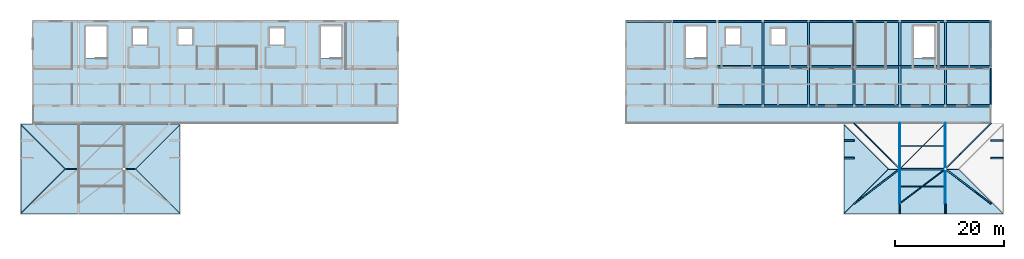
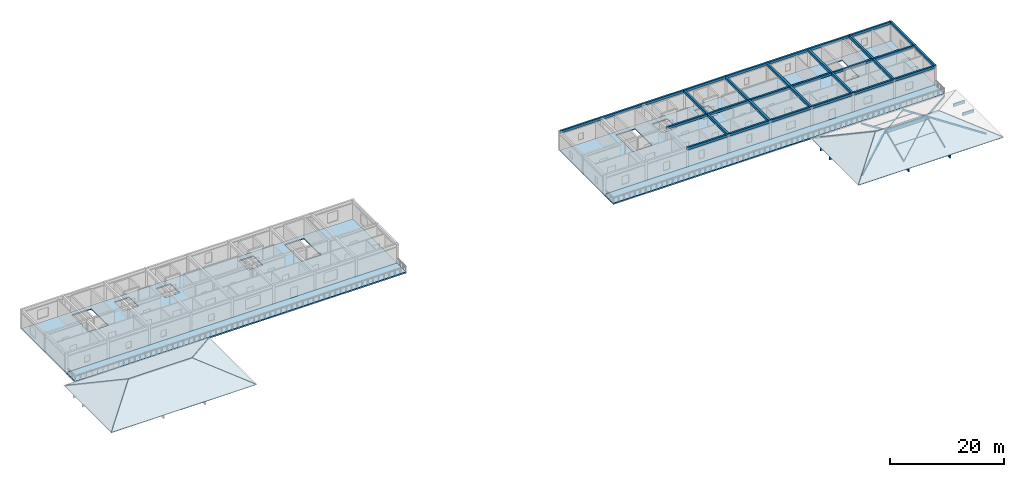
# One storey, part 10 of 22: 39 beams, 12 members, 10 slabs.
"""IFC4 building model written with IfcOpenShell, lengths in metres."""

from ifc_helpers import new_model, si_unit, direction, frame, origin, origin_2d, place, context, subcontext, project, spatial, polyline, rectangle, hollow_rectangle, hollow_circle, outline, extrude, material, layer, layer_set, material_profile, profile_set, type_object, element, save


model = new_model("IFC4")

# Units and contexts
model_context = context("Model", 3, precision=1e-05, world=origin(), true_north=direction((0.0, 1.0)))
body_context = subcontext(model_context, "Body", "Model", "MODEL_VIEW")
ifc_project = project(units=[si_unit("LENGTHUNIT", "METRE"), si_unit("AREAUNIT", "SQUARE_METRE"), si_unit("VOLUMEUNIT", "CUBIC_METRE"), si_unit("PLANEANGLEUNIT", "RADIAN"), si_unit("MASSUNIT", "GRAM", prefix="KILO")], contexts=[model_context])

# Site, building, storey
site_placement = place(None, origin())
site = spatial("IfcSite", under=ifc_project, at=site_placement, CompositionType="ELEMENT")
building_placement = place(site_placement, origin())
building = spatial("IfcBuilding", under=site, at=building_placement, Name="Varncliffe General Hospital", CompositionType="ELEMENT")
storey_placement = place(building_placement, frame((0.0, 0.0, 33.0)))
storey = spatial("IfcBuildingStorey", under=building, at=storey_placement, Name="L07", CompositionType="ELEMENT", Elevation=33.0)

# Beams
ifc_material_1 = material(Name="Concrete C35/45 (CSA A23.1 35 MPa)", Category="concrete")
ifc_material_profile_1 = material_profile(ifc_material_1, rectangle(XDim=0.39990234375, YDim=0.550048828125, at=origin_2d()), Name="RC 400x550")
ifc_profile_set_1 = profile_set([ifc_material_profile_1], Name="Concrete C35/45 (CSA A23.1 35 MPa)")
beam_type_1 = type_object("IfcBeamType", Name="Beam B32 (Int RC 400x550)", PredefinedType="BEAM", material=ifc_profile_set_1)
beam_1_placement = place(storey_placement, frame((134.39990234375, 109.199951171875, 3.925048828125), z_axis=(0.0, 1.0, 0.0), x_axis=(-1.0, 0.0, 0.0)))
element("IfcBeam", 1, at=beam_1_placement, inside=storey, type_object=beam_type_1, Name="L07 Primary Beam B32-73", PredefinedType="BEAM", context=body_context, shape_type="SweptSolid", body=[
    extrude(rectangle(XDim=0.39990234375, YDim=0.550048828125, at=origin_2d()), origin(), (0.0, 0.0, 1.0), 7.199951171875),
])
beam_2_placement = place(storey_placement, frame((134.39990234375, 116.39990234375, 3.925048828125), z_axis=(0.0, 1.0, 0.0), x_axis=(-1.0, 0.0, 0.0)))
element("IfcBeam", 2, at=beam_2_placement, inside=storey, type_object=beam_type_1, Name="L07 Primary Beam B32-74", PredefinedType="BEAM", context=body_context, shape_type="SweptSolid", body=[
    extrude(rectangle(XDim=0.39990234375, YDim=0.550048828125, at=origin_2d()), origin(), (0.0, 0.0, 1.0), 8.400146484375),
])
beam_3_placement = place(storey_placement, frame((142.800048828125, 109.199951171875, 3.925048828125), z_axis=(0.0, 1.0, 0.0), x_axis=(-1.0, 0.0, 0.0)))
element("IfcBeam", 3, at=beam_3_placement, inside=storey, type_object=beam_type_1, Name="L07 Primary Beam B32-75", PredefinedType="BEAM", context=body_context, shape_type="SweptSolid", body=[
    extrude(rectangle(XDim=0.39990234375, YDim=0.550048828125, at=origin_2d()), origin(), (0.0, 0.0, 1.0), 7.199951171875),
])
beam_4_placement = place(storey_placement, frame((142.800048828125, 116.39990234375, 3.925048828125), z_axis=(0.0, 1.0, 0.0), x_axis=(-1.0, 0.0, 0.0)))
element("IfcBeam", 4, at=beam_4_placement, inside=storey, type_object=beam_type_1, Name="L07 Primary Beam B32-76", PredefinedType="BEAM", context=body_context, shape_type="SweptSolid", body=[
    extrude(rectangle(XDim=0.39990234375, YDim=0.550048828125, at=origin_2d()), origin(), (0.0, 0.0, 1.0), 8.400146484375),
])
beam_5_placement = place(storey_placement, frame((151.199951171875, 109.199951171875, 3.925048828125), z_axis=(0.0, 1.0, 0.0), x_axis=(-1.0, 0.0, 0.0)))
element("IfcBeam", 5, at=beam_5_placement, inside=storey, type_object=beam_type_1, Name="L07 Primary Beam B32-77", PredefinedType="BEAM", context=body_context, shape_type="SweptSolid", body=[
    extrude(rectangle(XDim=0.39990234375, YDim=0.550048828125, at=origin_2d()), origin(), (0.0, 0.0, 1.0), 7.199951171875),
])
beam_6_placement = place(storey_placement, frame((151.199951171875, 116.39990234375, 3.925048828125), z_axis=(0.0, 1.0, 0.0), x_axis=(-1.0, 0.0, 0.0)))
element("IfcBeam", 6, at=beam_6_placement, inside=storey, type_object=beam_type_1, Name="L07 Primary Beam B32-78", PredefinedType="BEAM", context=body_context, shape_type="SweptSolid", body=[
    extrude(rectangle(XDim=0.39990234375, YDim=0.550048828125, at=origin_2d()), origin(), (0.0, 0.0, 1.0), 8.400146484375),
])
beam_7_placement = place(storey_placement, frame((159.60009765625, 109.199951171875, 3.925048828125), z_axis=(0.0, 1.0, 0.0), x_axis=(-1.0, 0.0, 0.0)))
element("IfcBeam", 7, at=beam_7_placement, inside=storey, type_object=beam_type_1, Name="L07 Primary Beam B32-79", PredefinedType="BEAM", context=body_context, shape_type="SweptSolid", body=[
    extrude(rectangle(XDim=0.39990234375, YDim=0.550048828125, at=origin_2d()), origin(), (0.0, 0.0, 1.0), 7.199951171875),
])
beam_8_placement = place(storey_placement, frame((159.60009765625, 116.39990234375, 3.925048828125), z_axis=(0.0, 1.0, 0.0), x_axis=(-1.0, 0.0, 0.0)))
element("IfcBeam", 8, at=beam_8_placement, inside=storey, type_object=beam_type_1, Name="L07 Primary Beam B32-80", PredefinedType="BEAM", context=body_context, shape_type="SweptSolid", body=[
    extrude(rectangle(XDim=0.39990234375, YDim=0.550048828125, at=origin_2d()), origin(), (0.0, 0.0, 1.0), 8.400146484375),
])
beam_9_placement = place(storey_placement, frame((168.0, 109.199951171875, 3.925048828125), z_axis=(0.0, 1.0, 0.0), x_axis=(-1.0, 0.0, 0.0)))
element("IfcBeam", 9, at=beam_9_placement, inside=storey, type_object=beam_type_1, Name="L07 Primary Beam B32-81", PredefinedType="BEAM", context=body_context, shape_type="SweptSolid", body=[
    extrude(rectangle(XDim=0.39990234375, YDim=0.550048828125, at=origin_2d()), origin(), (0.0, 0.0, 1.0), 7.199951171875),
])
beam_10_placement = place(storey_placement, frame((168.0, 116.39990234375, 3.925048828125), z_axis=(0.0, 1.0, 0.0), x_axis=(-1.0, 0.0, 0.0)))
element("IfcBeam", 10, at=beam_10_placement, inside=storey, type_object=beam_type_1, Name="L07 Primary Beam B32-82", PredefinedType="BEAM", context=body_context, shape_type="SweptSolid", body=[
    extrude(rectangle(XDim=0.39990234375, YDim=0.550048828125, at=origin_2d()), origin(), (0.0, 0.0, 1.0), 8.400146484375),
])
ifc_material_2 = material(Name="Glulam GL28h (CSA O86 24f-EX, 30 MPa)", Category="wood")
ifc_material_profile_2 = material_profile(ifc_material_2, rectangle(XDim=0.31494140625, YDim=0.8359375, at=origin_2d()), Name="GL 315x836")
ifc_profile_set_2 = profile_set([ifc_material_profile_2], Name="Glulam GL28h (CSA O86 24f-EX, 30 MPa)")
beam_type_2 = type_object("IfcBeamType", Name="Beam B74 (Int GL 315x836)", PredefinedType="BEAM", material=ifc_profile_set_2)
beam_11_placement = place(storey_placement, frame((159.43994140625, 97.60009765625, 2.894287109375), z_axis=(1.0, 0.0, 0.0), x_axis=(0.0, 1.0, 0.0)))
element("IfcBeam", 11, at=beam_11_placement, inside=storey, type_object=beam_type_2, Name="L07 RF-V6-SE2 Glulam Ridge Girder", PredefinedType="BEAM", context=body_context, shape_type="SweptSolid", body=[
    extrude(rectangle(XDim=0.31494140625, YDim=0.8359375, at=origin_2d()), origin(), (0.0, 0.0, 1.0), 8.719970703125),
])
ifc_material_profile_3 = material_profile(ifc_material_1, rectangle(XDim=0.35009765625, YDim=0.5, at=origin_2d()), Name="RC 350x500")
ifc_profile_set_3 = profile_set([ifc_material_profile_3], Name="Concrete C35/45 (CSA A23.1 35 MPa)")
beam_type_3 = type_object("IfcBeamType", Name="Beam B79 (Int RC 350x500)", PredefinedType="BEAM", material=ifc_profile_set_3)
beam_12_placement = place(storey_placement, frame((126.0, 116.39990234375, 3.949951171875), z_axis=(1.0, 0.0, 0.0), x_axis=(0.0, 1.0, 0.0)))
element("IfcBeam", 12, at=beam_12_placement, inside=storey, type_object=beam_type_3, Name="L07 Primary Beam B79-27", PredefinedType="BEAM", context=body_context, shape_type="SweptSolid", body=[
    extrude(rectangle(XDim=0.35009765625, YDim=0.5, at=origin_2d()), origin(), (0.0, 0.0, 1.0), 8.39990234375),
])
beam_13_placement = place(storey_placement, frame((134.39990234375, 116.39990234375, 3.949951171875), z_axis=(1.0, 0.0, 0.0), x_axis=(0.0, 1.0, 0.0)))
element("IfcBeam", 13, at=beam_13_placement, inside=storey, type_object=beam_type_3, Name="L07 Primary Beam B79-28", PredefinedType="BEAM", context=body_context, shape_type="SweptSolid", body=[
    extrude(rectangle(XDim=0.35009765625, YDim=0.5, at=origin_2d()), origin(), (0.0, 0.0, 1.0), 8.400146484375),
])
beam_14_placement = place(storey_placement, frame((142.800048828125, 116.39990234375, 3.949951171875), z_axis=(1.0, 0.0, 0.0), x_axis=(0.0, 1.0, 0.0)))
element("IfcBeam", 14, at=beam_14_placement, inside=storey, type_object=beam_type_3, Name="L07 Primary Beam B79-29", PredefinedType="BEAM", context=body_context, shape_type="SweptSolid", body=[
    extrude(rectangle(XDim=0.35009765625, YDim=0.5, at=origin_2d()), origin(), (0.0, 0.0, 1.0), 8.39990234375),
])
beam_15_placement = place(storey_placement, frame((151.199951171875, 116.39990234375, 3.949951171875), z_axis=(1.0, 0.0, 0.0), x_axis=(0.0, 1.0, 0.0)))
element("IfcBeam", 15, at=beam_15_placement, inside=storey, type_object=beam_type_3, Name="L07 Primary Beam B79-30", PredefinedType="BEAM", context=body_context, shape_type="SweptSolid", body=[
    extrude(rectangle(XDim=0.35009765625, YDim=0.5, at=origin_2d()), origin(), (0.0, 0.0, 1.0), 8.400146484375),
])
for number, where, z_axis, x_axis, name in (
    (16, (159.60009765625, 116.39990234375, 3.949951171875), (1.0, 0.0, 0.0), (0.0, 1.0, 0.0), "L07 Primary Beam B79-31"),
    (17, (168.0, 116.39990234375, 3.949951171875), (1.0, 0.0, 0.0), (0.0, 1.0, 0.0), "L07 Primary Beam B79-32"),
):
    element("IfcBeam", number, at=place(storey_placement, frame(where, z_axis=z_axis, x_axis=x_axis)), inside=storey, type_object=beam_type_3, Name=name, PredefinedType="BEAM", context=body_context, shape_type="SweptSolid", body=[
        extrude(rectangle(XDim=0.35009765625, YDim=0.5, at=origin_2d()), origin(), (0.0, 0.0, 1.0), 8.39990234375),
    ])
ifc_material_profile_4 = material_profile(ifc_material_2, rectangle(XDim=0.264892578125, YDim=0.60791015625, at=origin_2d()), Name="GL 265x608")
ifc_profile_set_4 = profile_set([ifc_material_profile_4], Name="Glulam GL28h (CSA O86 24f-EX, 30 MPa)")
beam_type_4 = type_object("IfcBeamType", Name="Beam B82 (Ext GL 265x608)", PredefinedType="BEAM", material=ifc_profile_set_4)
for number, where, z_axis, x_axis, name in (
    (18, (159.60009765625, 89.340087890625, -0.5234375), (0.0, 1.0, 0.0), (-1.0, 0.0, 0.0), "L07 RF-V6-SE2 South Eave Lookout Bracket 1"),
    (19, (168.0, 89.340087890625, -0.5234375), (0.0, 1.0, 0.0), (-1.0, 0.0, 0.0), "L07 RF-V6-SE2 South Eave Lookout Bracket 2"),
    (20, (149.340087890625, 99.60009765625, -0.5234375), (1.0, 0.0, 0.0), (0.0, 1.0, 0.0), "L07 RF-V6-SE2 West Eave Lookout Bracket 1"),
    (21, (149.340087890625, 102.800048828125, -0.5234375), (1.0, 0.0, 0.0), (0.0, 1.0, 0.0), "L07 RF-V6-SE2 West Eave Lookout Bracket 2"),
):
    element("IfcBeam", number, at=place(storey_placement, frame(where, z_axis=z_axis, x_axis=x_axis)), inside=storey, type_object=beam_type_4, Name=name, PredefinedType="BEAM", context=body_context, shape_type="SweptSolid", body=[
        extrude(rectangle(XDim=0.264892578125, YDim=0.60791015625, at=origin_2d()), origin(), (0.0, 0.0, 1.0), 1.85986328125),
    ])
for number, where, z_axis, x_axis, name in (
    (22, (176.39990234375, 99.60009765625, -0.5234375), (1.0, 0.0, 0.0), (0.0, 1.0, 0.0), "L07 RF-V6-SE2 East Eave Lookout Bracket 1"),
    (23, (176.39990234375, 102.800048828125, -0.5234375), (1.0, 0.0, 0.0), (0.0, 1.0, 0.0), "L07 RF-V6-SE2 East Eave Lookout Bracket 2"),
):
    element("IfcBeam", number, at=place(storey_placement, frame(where, z_axis=z_axis, x_axis=x_axis)), inside=storey, type_object=beam_type_4, Name=name, PredefinedType="BEAM", context=body_context, shape_type="SweptSolid", body=[
        extrude(rectangle(XDim=0.264892578125, YDim=0.60791015625, at=origin_2d()), origin(), (0.0, 0.0, 1.0), 2.260009765625),
    ])

# Members
ifc_material_3 = material(Name="Steel S355 (CSA G40.21 350W)", Category="steel")
ifc_material_profile_5 = material_profile(ifc_material_3, hollow_rectangle(XDim=0.10205078125, YDim=0.202880859375, WallThickness=0.008056640625, InnerFilletRadius=0.008056640625, OuterFilletRadius=0.01611328125, at=origin_2d()), Name="HSS 203x102x8.0")
ifc_profile_set_5 = profile_set([ifc_material_profile_5], Name="Steel S355 (CSA G40.21 350W)")
member_type_1 = type_object("IfcMemberType", Name="Member MB29 (PURLIN Int HSS 203x102x8.0)", PredefinedType="PURLIN", material=ifc_profile_set_5)
for number, where, z_axis, x_axis, name in (
    (24, (159.60009765625, 94.39990234375, 1.85888671875), (1.0, 0.0, 0.0), (0.0, 1.0, 0.0), "L07 RF-V6-SE2 Timber Purlin S1"),
    (25, (159.60009765625, 101.800048828125, 1.423095703125), (1.0, 0.0, 0.0), (0.0, 1.0, 0.0), "L07 RF-V6-SE2 Timber Purlin N1"),
):
    element("IfcMember", number, at=place(storey_placement, frame(where, z_axis=z_axis, x_axis=x_axis)), inside=storey, type_object=member_type_1, Name=name, PredefinedType="PURLIN", context=body_context, shape_type="SweptSolid", body=[
        extrude(hollow_rectangle(XDim=0.10205078125, YDim=0.202880859375, WallThickness=0.008056640625, InnerFilletRadius=0.008056640625, OuterFilletRadius=0.01611328125, at=origin_2d()), origin(), (0.0, 0.0, 1.0), 8.39990234375),
    ])
ifc_material_profile_6 = material_profile(ifc_material_2, rectangle(XDim=0.175048828125, YDim=0.3798828125, at=origin_2d()), Name="GL 175x380")
ifc_profile_set_6 = profile_set([ifc_material_profile_6], Name="Glulam GL28h (CSA O86 24f-EX, 30 MPa)")
member_type_2 = type_object("IfcMemberType", Name="Member MB55 (RAFTER Int GL 175x380)", PredefinedType="RAFTER", material=ifc_profile_set_6)
member_1_placement = place(storey_placement, frame((151.199951171875, 91.199951171875, 0.3662109375), z_axis=(0.769064271267, 0.585938758246, 0.255374075125), x_axis=(-0.606033417226, 0.795439185108, 0.0)))
element("IfcMember", 26, at=member_1_placement, inside=storey, type_object=member_type_2, Name="L07 RF-V6-SE2 Hip Rafter SW", PredefinedType="RAFTER", context=body_context, shape_type="SweptSolid", body=[
    extrude(rectangle(XDim=0.175048828125, YDim=0.3798828125, at=origin_2d()), origin(), (0.0, 0.0, 1.0), 10.870849609375),
])
member_2_placement = place(storey_placement, frame((151.199951171875, 106.0, -0.5078125), z_axis=(0.675756039091, -0.675736315898, 0.294506718105), x_axis=(0.707096461849, 0.707117100373, 0.0)))
element("IfcMember", 27, at=member_2_placement, inside=storey, type_object=member_type_2, Name="L07 RF-V6-SE2 Hip Rafter NW", PredefinedType="RAFTER", context=body_context, shape_type="SweptSolid", body=[
    extrude(rectangle(XDim=0.175048828125, YDim=0.3798828125, at=origin_2d()), origin(), (0.0, 0.0, 1.0), 12.37841796875),
])
member_3_placement = place(storey_placement, frame((176.39990234375, 91.199951171875, 0.3662109375), z_axis=(-0.769055095885, 0.585948878651, 0.255378485977), x_axis=(-0.606044615001, -0.795430653564, 0.0)))
element("IfcMember", 28, at=member_3_placement, inside=storey, type_object=member_type_2, Name="L07 RF-V6-SE2 Hip Rafter SE", PredefinedType="RAFTER", context=body_context, shape_type="SweptSolid", body=[
    extrude(rectangle(XDim=0.175048828125, YDim=0.3798828125, at=origin_2d()), origin(), (0.0, 0.0, 1.0), 10.87060546875),
])
member_4_placement = place(storey_placement, frame((176.39990234375, 106.0, -0.5078125), z_axis=(-0.675745322205, -0.675745322205, 0.294510643331), x_axis=(0.707106781187, -0.707106781187, 0.0)))
element("IfcMember", 29, at=member_4_placement, inside=storey, type_object=member_type_2, Name="L07 RF-V6-SE2 Hip Rafter NE", PredefinedType="RAFTER", context=body_context, shape_type="SweptSolid", body=[
    extrude(rectangle(XDim=0.175048828125, YDim=0.3798828125, at=origin_2d()), origin(), (0.0, 0.0, 1.0), 12.378173828125),
])
member_5_placement = place(storey_placement, frame((159.60009765625, 91.199951171875, 0.35546875), z_axis=(0.0, 0.916719503306, 0.399531415858), x_axis=(-1.0, 0.0, 0.0)))
element("IfcMember", 30, at=member_5_placement, inside=storey, type_object=member_type_2, Name="L07 RF-V6-SE2 South Sloped Glulam Rafter 1", PredefinedType="RAFTER", context=body_context, shape_type="SweptSolid", body=[
    extrude(rectangle(XDim=0.175048828125, YDim=0.3798828125, at=origin_2d()), origin(), (0.0, 0.0, 1.0), 6.916015625),
])
member_6_placement = place(storey_placement, frame((159.60009765625, 106.0, -0.516357421875), z_axis=(0.0, -0.916712598688, 0.399547258039), x_axis=(1.0, 0.0, 0.0)))
element("IfcMember", 31, at=member_6_placement, inside=storey, type_object=member_type_2, Name="L07 RF-V6-SE2 North Sloped Glulam Rafter 1", PredefinedType="RAFTER", context=body_context, shape_type="SweptSolid", body=[
    extrude(rectangle(XDim=0.175048828125, YDim=0.3798828125, at=origin_2d()), origin(), (0.0, 0.0, 1.0), 9.097900390625),
])
member_7_placement = place(storey_placement, frame((168.0, 91.199951171875, 0.35546875), z_axis=(0.0, 0.916719503306, 0.399531415858), x_axis=(-1.0, 0.0, 0.0)))
element("IfcMember", 32, at=member_7_placement, inside=storey, type_object=member_type_2, Name="L07 RF-V6-SE2 South Sloped Glulam Rafter 2", PredefinedType="RAFTER", context=body_context, shape_type="SweptSolid", body=[
    extrude(rectangle(XDim=0.175048828125, YDim=0.3798828125, at=origin_2d()), origin(), (0.0, 0.0, 1.0), 6.916015625),
])
member_8_placement = place(storey_placement, frame((168.0, 106.0, -0.516357421875), z_axis=(0.0, -0.916712598688, 0.399547258039), x_axis=(1.0, 0.0, 0.0)))
element("IfcMember", 33, at=member_8_placement, inside=storey, type_object=member_type_2, Name="L07 RF-V6-SE2 North Sloped Glulam Rafter 2", PredefinedType="RAFTER", context=body_context, shape_type="SweptSolid", body=[
    extrude(rectangle(XDim=0.175048828125, YDim=0.3798828125, at=origin_2d()), origin(), (0.0, 0.0, 1.0), 9.097900390625),
])
ifc_material_profile_7 = material_profile(ifc_material_3, hollow_circle(Radius=0.070556640625, WallThickness=0.00634765625, at=origin_2d()), Name="CHS 141x6.4")
ifc_profile_set_7 = profile_set([ifc_material_profile_7], Name="Steel S355 (CSA G40.21 350W)")
member_type_3 = type_object("IfcMemberType", Name="Member MB72 (BRACE Int CHS 141x6.4)", PredefinedType="BRACE", material=ifc_profile_set_7)
member_9_placement = place(storey_placement, frame((159.60009765625, 91.199951171875, 0.35546875), z_axis=(0.773385664169, 0.589266557757, 0.233751017895), x_axis=(-0.606056449551, 0.795421636591, 0.0)))
element("IfcMember", 34, at=member_9_placement, inside=storey, type_object=member_type_3, Name="L07 RF-V6-SE2 Lateral Wind Brace 1", PredefinedType="BRACE", context=body_context, shape_type="SweptSolid", body=[
    extrude(hollow_circle(Radius=0.070556640625, WallThickness=0.00634765625, at=origin_2d()), origin(), (0.0, 0.0, 1.0), 10.861328125),
])
member_10_placement = place(storey_placement, frame((168.0, 106.0, -0.516357421875), z_axis=(-0.679649096165, -0.679649096165, 0.275960526461), x_axis=(0.707106781187, -0.707106781187, 0.0)))
element("IfcMember", 35, at=member_10_placement, inside=storey, type_object=member_type_3, Name="L07 RF-V6-SE2 Lateral Wind Brace 2", PredefinedType="BRACE", context=body_context, shape_type="SweptSolid", body=[
    extrude(hollow_circle(Radius=0.070556640625, WallThickness=0.00634765625, at=origin_2d()), origin(), (0.0, 0.0, 1.0), 12.359130859375),
])

# Beams
ifc_material_profile_8 = material_profile(ifc_material_1, rectangle(XDim=0.35009765625, YDim=0.550048828125, at=origin_2d()), Name="RC 350x550")
ifc_profile_set_8 = profile_set([ifc_material_profile_8], Name="Concrete C35/45 (CSA A23.1 35 MPa)")
beam_type_5 = type_object("IfcBeamType", Name="Spandrel SP20 (Ext RC 350x550)", PredefinedType="SPANDREL", material=ifc_profile_set_8)
beam_16_placement = place(storey_placement, frame((126.0, 109.199951171875, 3.925048828125), z_axis=(1.0, 0.0, 0.0), x_axis=(0.0, 1.0, 0.0)))
element("IfcBeam", 36, at=beam_16_placement, inside=storey, type_object=beam_type_5, Name="L07 Spandrel Beam SP20-11", PredefinedType="SPANDREL", context=body_context, shape_type="SweptSolid", body=[
    extrude(rectangle(XDim=0.35009765625, YDim=0.550048828125, at=origin_2d()), origin(), (0.0, 0.0, 1.0), 8.39990234375),
])
beam_17_placement = place(storey_placement, frame((134.39990234375, 109.199951171875, 3.925048828125), z_axis=(1.0, 0.0, 0.0), x_axis=(0.0, 1.0, 0.0)))
element("IfcBeam", 37, at=beam_17_placement, inside=storey, type_object=beam_type_5, Name="L07 Spandrel Beam SP20-12", PredefinedType="SPANDREL", context=body_context, shape_type="SweptSolid", body=[
    extrude(rectangle(XDim=0.35009765625, YDim=0.550048828125, at=origin_2d()), origin(), (0.0, 0.0, 1.0), 8.400146484375),
])
beam_18_placement = place(storey_placement, frame((142.800048828125, 109.199951171875, 3.925048828125), z_axis=(1.0, 0.0, 0.0), x_axis=(0.0, 1.0, 0.0)))
element("IfcBeam", 38, at=beam_18_placement, inside=storey, type_object=beam_type_5, Name="L07 Spandrel Beam SP20-13", PredefinedType="SPANDREL", context=body_context, shape_type="SweptSolid", body=[
    extrude(rectangle(XDim=0.35009765625, YDim=0.550048828125, at=origin_2d()), origin(), (0.0, 0.0, 1.0), 8.39990234375),
])
beam_19_placement = place(storey_placement, frame((151.199951171875, 109.199951171875, 3.925048828125), z_axis=(1.0, 0.0, 0.0), x_axis=(0.0, 1.0, 0.0)))
element("IfcBeam", 39, at=beam_19_placement, inside=storey, type_object=beam_type_5, Name="L07 Spandrel Beam SP20-14", PredefinedType="SPANDREL", context=body_context, shape_type="SweptSolid", body=[
    extrude(rectangle(XDim=0.35009765625, YDim=0.550048828125, at=origin_2d()), origin(), (0.0, 0.0, 1.0), 8.400146484375),
])
for number, where, z_axis, x_axis, name in (
    (40, (159.60009765625, 109.199951171875, 3.925048828125), (1.0, 0.0, 0.0), (0.0, 1.0, 0.0), "L07 Spandrel Beam SP20-15"),
    (41, (168.0, 109.199951171875, 3.925048828125), (1.0, 0.0, 0.0), (0.0, 1.0, 0.0), "L07 Spandrel Beam SP20-16"),
):
    element("IfcBeam", number, at=place(storey_placement, frame(where, z_axis=z_axis, x_axis=x_axis)), inside=storey, type_object=beam_type_5, Name=name, PredefinedType="SPANDREL", context=body_context, shape_type="SweptSolid", body=[
        extrude(rectangle(XDim=0.35009765625, YDim=0.550048828125, at=origin_2d()), origin(), (0.0, 0.0, 1.0), 8.39990234375),
    ])
beam_20_placement = place(storey_placement, frame((109.199951171875, 124.800048828125, 3.925048828125), z_axis=(1.0, 0.0, 0.0), x_axis=(0.0, 1.0, 0.0)))
element("IfcBeam", 42, at=beam_20_placement, inside=storey, type_object=beam_type_5, Name="L07 Spandrel Beam SP20-41", PredefinedType="SPANDREL", context=body_context, shape_type="SweptSolid", body=[
    extrude(rectangle(XDim=0.35009765625, YDim=0.550048828125, at=origin_2d()), origin(), (0.0, 0.0, 1.0), 8.400146484375),
])
for number, where, z_axis, x_axis, name in (
    (43, (117.60009765625, 124.800048828125, 3.925048828125), (1.0, 0.0, 0.0), (0.0, 1.0, 0.0), "L07 Spandrel Beam SP20-42"),
    (44, (126.0, 124.800048828125, 3.925048828125), (1.0, 0.0, 0.0), (0.0, 1.0, 0.0), "L07 Spandrel Beam SP20-43"),
):
    element("IfcBeam", number, at=place(storey_placement, frame(where, z_axis=z_axis, x_axis=x_axis)), inside=storey, type_object=beam_type_5, Name=name, PredefinedType="SPANDREL", context=body_context, shape_type="SweptSolid", body=[
        extrude(rectangle(XDim=0.35009765625, YDim=0.550048828125, at=origin_2d()), origin(), (0.0, 0.0, 1.0), 8.39990234375),
    ])
beam_21_placement = place(storey_placement, frame((134.39990234375, 124.800048828125, 3.925048828125), z_axis=(1.0, 0.0, 0.0), x_axis=(0.0, 1.0, 0.0)))
element("IfcBeam", 45, at=beam_21_placement, inside=storey, type_object=beam_type_5, Name="L07 Spandrel Beam SP20-44", PredefinedType="SPANDREL", context=body_context, shape_type="SweptSolid", body=[
    extrude(rectangle(XDim=0.35009765625, YDim=0.550048828125, at=origin_2d()), origin(), (0.0, 0.0, 1.0), 8.400146484375),
])
beam_22_placement = place(storey_placement, frame((142.800048828125, 124.800048828125, 3.925048828125), z_axis=(1.0, 0.0, 0.0), x_axis=(0.0, 1.0, 0.0)))
element("IfcBeam", 46, at=beam_22_placement, inside=storey, type_object=beam_type_5, Name="L07 Spandrel Beam SP20-45", PredefinedType="SPANDREL", context=body_context, shape_type="SweptSolid", body=[
    extrude(rectangle(XDim=0.35009765625, YDim=0.550048828125, at=origin_2d()), origin(), (0.0, 0.0, 1.0), 8.39990234375),
])
beam_23_placement = place(storey_placement, frame((151.199951171875, 124.800048828125, 3.925048828125), z_axis=(1.0, 0.0, 0.0), x_axis=(0.0, 1.0, 0.0)))
element("IfcBeam", 47, at=beam_23_placement, inside=storey, type_object=beam_type_5, Name="L07 Spandrel Beam SP20-46", PredefinedType="SPANDREL", context=body_context, shape_type="SweptSolid", body=[
    extrude(rectangle(XDim=0.35009765625, YDim=0.550048828125, at=origin_2d()), origin(), (0.0, 0.0, 1.0), 8.400146484375),
])
for number, where, z_axis, x_axis, name in (
    (48, (159.60009765625, 124.800048828125, 3.925048828125), (1.0, 0.0, 0.0), (0.0, 1.0, 0.0), "L07 Spandrel Beam SP20-47"),
    (49, (168.0, 124.800048828125, 3.925048828125), (1.0, 0.0, 0.0), (0.0, 1.0, 0.0), "L07 Spandrel Beam SP20-48"),
):
    element("IfcBeam", number, at=place(storey_placement, frame(where, z_axis=z_axis, x_axis=x_axis)), inside=storey, type_object=beam_type_5, Name=name, PredefinedType="SPANDREL", context=body_context, shape_type="SweptSolid", body=[
        extrude(rectangle(XDim=0.35009765625, YDim=0.550048828125, at=origin_2d()), origin(), (0.0, 0.0, 1.0), 8.39990234375),
    ])
beam_24_placement = place(storey_placement, frame((176.39990234375, 109.199951171875, 3.925048828125), z_axis=(0.0, 1.0, 0.0), x_axis=(-1.0, 0.0, 0.0)))
element("IfcBeam", 50, at=beam_24_placement, inside=storey, type_object=beam_type_5, Name="L07 Spandrel Beam SP20-83", PredefinedType="SPANDREL", context=body_context, shape_type="SweptSolid", body=[
    extrude(rectangle(XDim=0.35009765625, YDim=0.550048828125, at=origin_2d()), origin(), (0.0, 0.0, 1.0), 7.199951171875),
])
beam_25_placement = place(storey_placement, frame((176.39990234375, 116.39990234375, 3.925048828125), z_axis=(0.0, 1.0, 0.0), x_axis=(-1.0, 0.0, 0.0)))
element("IfcBeam", 51, at=beam_25_placement, inside=storey, type_object=beam_type_5, Name="L07 Spandrel Beam SP20-84", PredefinedType="SPANDREL", context=body_context, shape_type="SweptSolid", body=[
    extrude(rectangle(XDim=0.35009765625, YDim=0.550048828125, at=origin_2d()), origin(), (0.0, 0.0, 1.0), 8.400146484375),
])

# Slabs
ifc_layer_1 = layer(ifc_material_1, 0.280029296875)
ifc_layer_set_1 = layer_set([ifc_layer_1], Name="Concrete C35/45 (CSA A23.1 35 MPa)")
slab_type_1 = type_object("IfcSlabType", Name="Floor Slab SL23 (Ext 280mm)", PredefinedType="FLOOR", material=ifc_layer_set_1)
slab_1_placement = place(storey_placement, frame((0.0, 0.0, -0.280029296875)))
element("IfcSlab", 52, at=slab_1_placement, inside=storey, type_object=slab_type_1, Name="L07 West Step-3 Healing Roof Terrace", PredefinedType="FLOOR", context=body_context, shape_type="SweptSolid", body=[
    extrude(outline(polyline([(0.0, 106.0), (67.199951171875, 106.0), (67.199951171875, 109.199951171875), (0.0, 109.199951171875), (0.0, 106.0)])), origin(), (0.0, 0.0, 1.0), 0.280029296875),
])
slab_2_placement = place(storey_placement, frame((0.0, 0.0, -0.280029296875)))
element("IfcSlab", 53, at=slab_2_placement, inside=storey, type_object=slab_type_1, Name="L07 East Step-3 Healing Roof Terrace", PredefinedType="FLOOR", context=body_context, shape_type="SweptSolid", body=[
    extrude(outline(polyline([(109.199951171875, 106.0), (176.39990234375, 106.0), (176.39990234375, 109.199951171875), (109.199951171875, 109.199951171875), (109.199951171875, 106.0)])), origin(), (0.0, 0.0, 1.0), 0.280029296875),
])
ifc_layer_2 = layer(ifc_material_1, 0.22998046875)
ifc_layer_set_2 = layer_set([ifc_layer_2], Name="Concrete C35/45 (CSA A23.1 35 MPa)")
slab_type_2 = type_object("IfcSlabType", Name="Floor Slab SL58 (Int 230mm)", PredefinedType="FLOOR", material=ifc_layer_set_2)
slab_3_placement = place(storey_placement, frame((0.0, 0.0, -0.22998046875)))
element("IfcSlab", 54, at=slab_3_placement, inside=storey, type_object=slab_type_2, Name="L07 V6 Structural Floor Slab 1", PredefinedType="FLOOR", context=body_context, shape_type="SweptSolid", body=[
    extrude(outline(polyline([(0.0, 109.199951171875), (0.0, 124.800048828125), (67.199951171875, 124.800048828125), (67.199951171875, 109.199951171875), (0.0, 109.199951171875)]), holes=[polyline([(13.60009765625, 118.0), (13.60009765625, 123.949951171875), (9.699951171875, 123.949951171875), (9.699951171875, 118.0), (13.60009765625, 118.0)]), polyline([(56.800048828125, 118.0), (56.800048828125, 123.949951171875), (52.89990234375, 123.949951171875), (52.89990234375, 118.0), (56.800048828125, 118.0)]), polyline([(18.199951171875, 120.39990234375), (21.199951171875, 120.39990234375), (21.199951171875, 123.699951171875), (18.199951171875, 123.699951171875), (18.199951171875, 120.39990234375)]), polyline([(43.39990234375, 120.39990234375), (46.39990234375, 120.39990234375), (46.39990234375, 123.699951171875), (43.39990234375, 123.699951171875), (43.39990234375, 120.39990234375)]), polyline([(26.60009765625, 120.39990234375), (29.5, 120.39990234375), (29.5, 123.60009765625), (26.60009765625, 123.60009765625), (26.60009765625, 120.39990234375)])]), origin(), (0.0, 0.0, 1.0), 0.22998046875),
])
slab_4_placement = place(storey_placement, frame((0.0, 0.0, -0.22998046875)))
element("IfcSlab", 55, at=slab_4_placement, inside=storey, type_object=slab_type_2, Name="L07 V6 Structural Floor Slab 2", PredefinedType="FLOOR", context=body_context, shape_type="SweptSolid", body=[
    extrude(outline(polyline([(109.199951171875, 109.199951171875), (109.199951171875, 124.800048828125), (176.39990234375, 124.800048828125), (176.39990234375, 109.199951171875), (109.199951171875, 109.199951171875)]), holes=[polyline([(124.0, 118.0), (124.0, 123.949951171875), (120.10009765625, 123.949951171875), (120.10009765625, 118.0), (124.0, 118.0)]), polyline([(166.0, 118.0), (166.0, 123.949951171875), (162.10009765625, 123.949951171875), (162.10009765625, 118.0), (166.0, 118.0)]), polyline([(127.39990234375, 120.39990234375), (130.39990234375, 120.39990234375), (130.39990234375, 123.699951171875), (127.39990234375, 123.699951171875), (127.39990234375, 120.39990234375)]), polyline([(135.800048828125, 120.39990234375), (138.699951171875, 120.39990234375), (138.699951171875, 123.60009765625), (135.800048828125, 123.60009765625), (135.800048828125, 120.39990234375)])]), origin(), (0.0, 0.0, 1.0), 0.22998046875),
])
ifc_layer_3 = layer(ifc_material_1, 0.219970703125)
ifc_layer_set_3 = layer_set([ifc_layer_3], Name="Concrete C35/45 (CSA A23.1 35 MPa)")
slab_type_3 = type_object("IfcSlabType", Name="Roof Slab SL11 (Ext 220mm)", PredefinedType="ROOF", material=ifc_layer_set_3)
slab_5_placement = place(storey_placement, frame((149.340087890625, 89.340087890625, 0.0), z_axis=(0.0, -0.399545238166, 0.916713479043), x_axis=(1.0, 0.0, 0.0)))
element("IfcSlab", 56, at=slab_5_placement, inside=storey, type_object=slab_type_3, Name="L07 RF-V6-SE2 Hipped Roof Slab S", PredefinedType="ROOF", context=body_context, shape_type="SweptSolid", body=[
    extrude(outline(polyline([(0.0, 0.0), (29.31982421875, 0.0), (21.158935546875, 8.9023330172867), (8.160888671875, 8.9023330172867), (0.0, 0.0)])), origin(), (0.0, 0.0, -1.0), 0.219970703125),
])
slab_6_placement = place(storey_placement, frame((149.340087890625, 105.719970703125, 0.0), z_axis=(-0.399550380439, 0.0, 0.91671123779), x_axis=(0.0, -1.0, 0.0)))
element("IfcSlab", 57, at=slab_6_placement, inside=storey, type_object=slab_type_3, Name="L07 RF-V6-SE2 Hipped Roof Slab W", PredefinedType="ROOF", context=body_context, shape_type="SweptSolid", body=[
    extrude(outline(polyline([(0.0, 0.0), (16.239990234375, 0.0), (8.119873046875, 8.857612639773391), (0.0, 0.0)])), origin(), (0.0, 0.0, -1.0), 0.219970703125),
])
ifc_layer_4 = layer(ifc_material_1, 0.199951171875)
ifc_layer_set_4 = layer_set([ifc_layer_4], Name="Concrete C35/45 (CSA A23.1 35 MPa)")
slab_type_4 = type_object("IfcSlabType", Name="Roof Slab SL43 (Ext 200mm)", PredefinedType="ROOF", material=ifc_layer_set_4)
slab_7_placement = place(storey_placement, frame((-2.260009765625, 89.340087890625, 0.0), z_axis=(0.0, -0.399545238166, 0.916713479043), x_axis=(1.0, 0.0, 0.0)))
element("IfcSlab", 58, at=slab_7_placement, inside=storey, type_object=slab_type_4, Name="L07 RF-V6-SW2 Hipped Roof Slab S", PredefinedType="ROOF", context=body_context, shape_type="SweptSolid", body=[
    extrude(outline(polyline([(0.0, 0.0), (29.320068359375, 0.0), (21.158935546875, 8.9023330172867), (8.160888671875, 8.9023330172867), (0.0, 0.0)])), origin(), (0.0, 0.0, -1.0), 0.199951171875),
])
slab_8_placement = place(storey_placement, frame((27.06005859375, 105.860107421875, 0.0), z_axis=(0.0, 0.399535193722, 0.916717856801), x_axis=(-1.0, 0.0, 0.0)))
element("IfcSlab", 59, at=slab_8_placement, inside=storey, type_object=slab_type_4, Name="L07 RF-V6-SW2 Hipped Roof Slab N", PredefinedType="ROOF", context=body_context, shape_type="SweptSolid", body=[
    extrude(outline(polyline([(0.0, 0.0), (29.320068359375, 0.0), (21.1591796875, 8.90255682482282), (8.1611328125, 8.90255682482282), (0.0, 0.0)])), origin(), (0.0, 0.0, -1.0), 0.199951171875),
])
slab_9_placement = place(storey_placement, frame((-2.260009765625, 105.719970703125, 0.0), z_axis=(-0.399540285178, 0.0, 0.916715637763), x_axis=(0.0, -1.0, 0.0)))
element("IfcSlab", 60, at=slab_9_placement, inside=storey, type_object=slab_type_4, Name="L07 RF-V6-SW2 Hipped Roof Slab W", PredefinedType="ROOF", context=body_context, shape_type="SweptSolid", body=[
    extrude(outline(polyline([(0.0, 0.0), (16.239990234375, 0.0), (8.119873046875, 8.857836446765043), (0.0, 0.0)])), origin(), (0.0, 0.0, -1.0), 0.199951171875),
])
slab_10_placement = place(storey_placement, frame((27.06005859375, 89.47998046875, 0.0), z_axis=(0.399540285178, 0.0, 0.916715637763), x_axis=(0.0, 1.0, 0.0)))
element("IfcSlab", 61, at=slab_10_placement, inside=storey, type_object=slab_type_4, Name="L07 RF-V6-SW2 Hipped Roof Slab E", PredefinedType="ROOF", context=body_context, shape_type="SweptSolid", body=[
    extrude(outline(polyline([(0.0, 0.0), (16.239990234375, 0.0), (8.1201171875, 8.857836446765043), (0.0, 0.0)])), origin(), (0.0, 0.0, -1.0), 0.199951171875),
])

save(model, "model.ifc")
